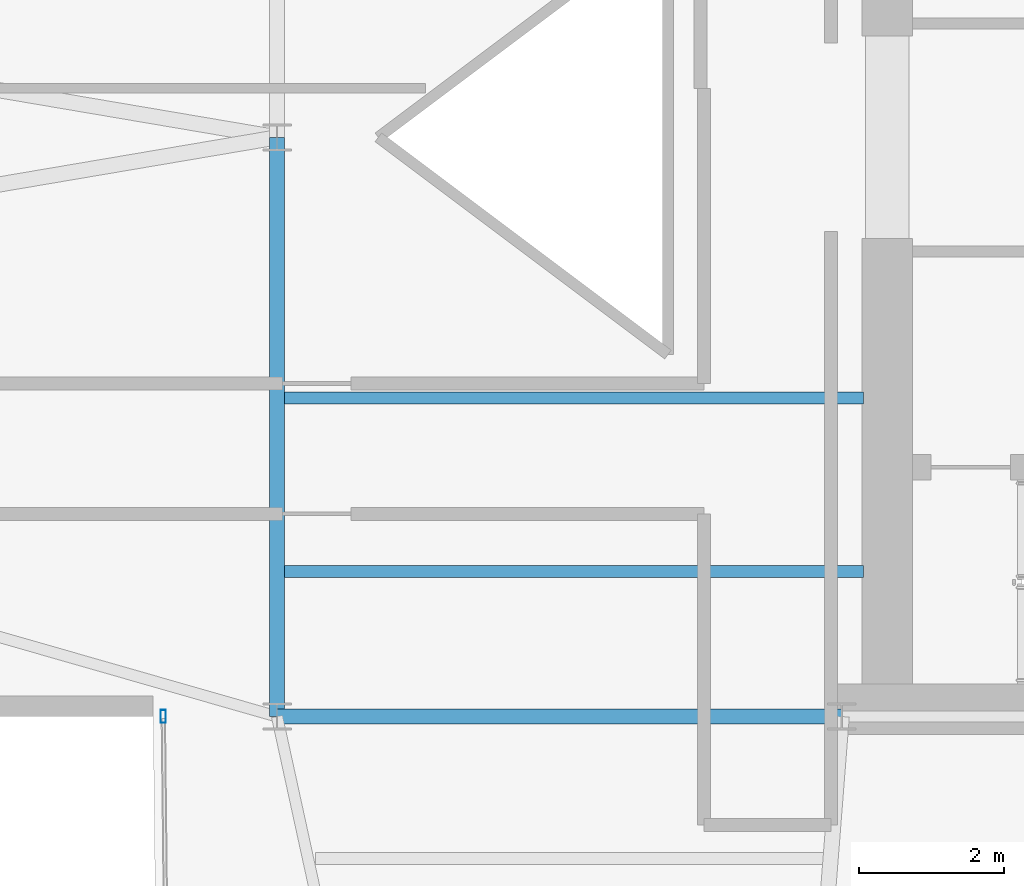
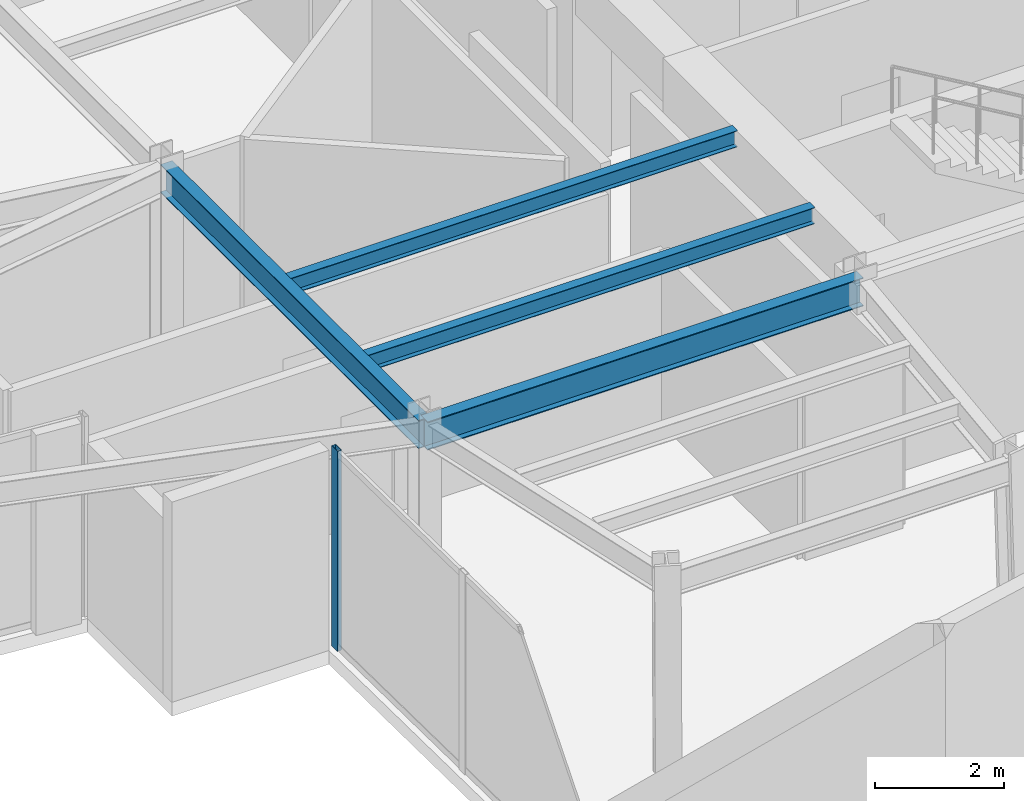
# One storey, part 8 of 21: 4 beams, 1 member, 1 element without a shape of its own.
"""IFC4 building model written with IfcOpenShell, lengths in metres."""

import ifcopenshell
import ifcopenshell.guid

model = None  # the IFC model being written
_history = None  # IfcOwnerHistory: only IFC2X3 demands one
_inside = {}  # id of a spatial element -> (the spatial element, [elements in it])
_under = {}  # id of a project, library or spatial element -> (it, [spatial elements below it])
_declared = {}  # id of a project -> (the project, [libraries it declares])
_typed = {}  # id of a type object -> (the type object, [elements of that type])
_made_of = {}  # id of a material, layer set ... -> (it, [elements and type objects made of it])


def new_model(schema):
    """Start an empty IFC model of exactly this schema.

    Asked for "IFC4X3", IfcOpenShell would pick the latest addendum, in which some entities
    have other attributes; the version numbers below select the first issue.
    IFC2X3 requires an IfcOwnerHistory on every rooted entity: one is made here for all.
    """
    global model, _history
    if schema == "IFC4X3":
        model = ifcopenshell.file(schema_version=(4, 3, 0, 0))
    else:
        model = ifcopenshell.file(schema=schema)
    _inside.clear()
    _under.clear()
    _declared.clear()
    _typed.clear()
    _made_of.clear()
    _history = None
    if model.schema == "IFC2X3":
        org = make("IfcOrganization", Name="unknown")
        user = make(
            "IfcPersonAndOrganization",
            ThePerson=make("IfcPerson", FamilyName="unknown"),
            TheOrganization=org,
        )
        app = make(
            "IfcApplication",
            ApplicationDeveloper=org,
            Version="unknown",
            ApplicationFullName="unknown",
            ApplicationIdentifier="unknown",
        )
        _history = make(
            "IfcOwnerHistory",
            OwningUser=user,
            OwningApplication=app,
            ChangeAction="ADDED",
            CreationDate=0,
        )
    return model


def make(cls, **values):
    """One entity of the class cls with the attributes given. An attribute that is None is left unset."""
    return model.create_entity(
        cls, **{name: value for name, value in values.items() if value is not None}
    )


def rooted(cls, **values):
    """An entity with a GlobalId (a new one), such as an element, a storey or a relation."""
    return make(cls, GlobalId=ifcopenshell.guid.new(), OwnerHistory=_history, **values)


def si_unit(unit_type, name, prefix=None):
    """IfcSIUnit, for example si_unit("LENGTHUNIT", "METRE", prefix="MILLI")."""
    return make("IfcSIUnit", UnitType=unit_type, Prefix=prefix, Name=name)


def assignment(units):
    """IfcUnitAssignment: the units of a project."""
    return None if units is None else make("IfcUnitAssignment", Units=units)


def point(xyz):
    """IfcCartesianPoint."""
    return None if xyz is None else make("IfcCartesianPoint", Coordinates=xyz)


def direction(xyz):
    """IfcDirection."""
    return None if xyz is None else make("IfcDirection", DirectionRatios=xyz)


def frame(location, z_axis=None, x_axis=None):
    """IfcAxis2Placement3D, a coordinate frame: its origin and axes. An axis left out is left unset."""
    return make(
        "IfcAxis2Placement3D",
        Location=point(location),
        Axis=direction(z_axis),
        RefDirection=direction(x_axis),
    )


def frame_2d(location, x_axis=None):
    """IfcAxis2Placement2D, a coordinate frame in the plane: its origin and x axis."""
    return make(
        "IfcAxis2Placement2D", Location=point(location), RefDirection=direction(x_axis)
    )


def origin():
    """The frame at (0, 0, 0) with its axes left unset."""
    return frame((0.0, 0.0, 0.0))


def origin_2d():
    """The frame at (0, 0) in the plane with its x axis left unset."""
    return frame_2d((0.0, 0.0))


def place(relative_to, where):
    """IfcLocalPlacement: puts the frame where relative to a parent placement (None: the world)."""
    return make(
        "IfcLocalPlacement", PlacementRelTo=relative_to, RelativePlacement=where
    )


def context(
    kind, dimensions, precision=None, world=None, true_north=None, identifier=None
):
    """IfcGeometricRepresentationContext, for example the 3D "Model" context."""
    return make(
        "IfcGeometricRepresentationContext",
        ContextIdentifier=identifier,
        ContextType=kind,
        CoordinateSpaceDimension=dimensions,
        Precision=precision,
        WorldCoordinateSystem=world,
        TrueNorth=true_north,
    )


def subcontext(parent, identifier, kind, view, scale=None):
    """IfcGeometricRepresentationSubContext, for example "Body" below "Model"."""
    return make(
        "IfcGeometricRepresentationSubContext",
        ContextIdentifier=identifier,
        ContextType=kind,
        ParentContext=parent,
        TargetScale=scale,
        TargetView=view,
    )


def project(units=None, contexts=None):
    """IfcProject with its units and contexts."""
    return rooted(
        "IfcProject",
        Name="project",
        RepresentationContexts=contexts,
        UnitsInContext=assignment(units),
    )


def spatial(cls, under=None, at=None, **own):
    """A site, building, storey or space (cls), placed at a placement, below another one or the project."""
    s = rooted(cls, ObjectPlacement=at, **own)
    if under is not None:
        _under.setdefault(under.id(), (under, []))[1].append(s)
    return s


def profile(cls, at=None, kind="AREA", **sizes):
    """A parametric profile (cls). Its sizes go by their IFC names, for example OverallWidth=200.0."""
    return make(cls, ProfileType=kind, Position=at, **sizes)


def hollow_rectangle(**sizes):
    """IfcRectangleHollowProfileDef."""
    return profile("IfcRectangleHollowProfileDef", **sizes)


def i_section(**sizes):
    """IfcIShapeProfileDef."""
    return profile("IfcIShapeProfileDef", **sizes)


def extrude(swept, where, along, depth):
    """IfcExtrudedAreaSolid: the profile swept, set in the frame where, extruded along a direction by depth."""
    return make(
        "IfcExtrudedAreaSolid",
        SweptArea=swept,
        Position=where,
        ExtrudedDirection=direction(along),
        Depth=depth,
    )


def shape(context_of_items, identifier, shape_type, items):
    """IfcShapeRepresentation: the items that make up one representation, for example the "Body"."""
    return make(
        "IfcShapeRepresentation",
        ContextOfItems=context_of_items,
        RepresentationIdentifier=identifier,
        RepresentationType=shape_type,
        Items=items,
    )


def material(Name=None, Category=None):
    """IfcMaterial."""
    return make("IfcMaterial", Name=Name, Category=Category)


def layer(
    of_material, thickness, ventilated=None, Name=None, Category=None, Priority=None
):
    """IfcMaterialLayer: one layer of a wall or slab, of a material (None: an air gap)."""
    return make(
        "IfcMaterialLayer",
        Material=of_material,
        LayerThickness=thickness,
        IsVentilated=ventilated,
        Name=Name,
        Category=Category,
        Priority=Priority,
    )


def layer_set(layers, Name=None):
    """IfcMaterialLayerSet."""
    return make("IfcMaterialLayerSet", MaterialLayers=layers, LayerSetName=Name)


def material_profile(
    of_material, cross_section, Name=None, Category=None, Priority=None
):
    """IfcMaterialProfile: a cross section and its material."""
    return make(
        "IfcMaterialProfile",
        Name=Name,
        Material=of_material,
        Profile=cross_section,
        Priority=Priority,
        Category=Category,
    )


def profile_set(profiles, Name=None, composite=None):
    """IfcMaterialProfileSet."""
    return make(
        "IfcMaterialProfileSet",
        Name=Name,
        MaterialProfiles=profiles,
        CompositeProfile=composite,
    )


def made_of(thing, what):
    """Note that an element or type object is made of a material, layer set ...; save() writes the relation."""
    if what is not None:
        _made_of.setdefault(what.id(), (what, []))[1].append(thing)
    return thing


def type_object(cls, material=None, **own):
    """A type object (cls), such as IfcWallType, which elements share."""
    return made_of(rooted(cls, **own), material)


def element(
    cls,
    number,
    at=None,
    inside=None,
    cuts=None,
    type_object=None,
    material=None,
    context=None,
    identifier="Body",
    shape_type=None,
    held_by="IfcProductDefinitionShape",
    body=None,
    shapes=None,
    **own,
):
    """One element of the class cls, such as IfcWall. Its Tag is "e" and its number.

    at: its placement. inside: the storey or other place that contains it. cuts: it is an
    opening in that element (IfcRelVoidsElement). A single representation is given by context,
    identifier, shape_type and body (its items); several are given by shapes. held_by: the class
    of the entity that holds the representations. save() writes the other relations.
    """
    e = rooted(cls, Tag="e%d" % number, ObjectPlacement=at, **own)
    if body is not None:
        shapes = [shape(context, identifier, shape_type, body)]
    if shapes is not None:
        e.Representation = make(held_by, Representations=shapes)
    if inside is not None:
        _inside.setdefault(inside.id(), (inside, []))[1].append(e)
    if cuts is not None:
        rooted(
            "IfcRelVoidsElement", RelatingBuildingElement=cuts, RelatedOpeningElement=e
        )
    if type_object is not None:
        _typed.setdefault(type_object.id(), (type_object, []))[1].append(e)
    return made_of(e, material)


def aggregate(whole, parts):
    """IfcRelAggregates: a whole, such as a stair, and the parts it consists of."""
    return rooted("IfcRelAggregates", RelatingObject=whole, RelatedObjects=parts)


def save(model, path):
    """Write the relations noted so far, then the file.

    IfcRelAggregates (storeys below a building ...), IfcRelContainedInSpatialStructure (elements
    in a storey), IfcRelDefinesByType, IfcRelAssociatesMaterial and IfcRelDeclares: one each for
    every whole, place, type object, material and project.
    """
    for whole, parts in _under.values():
        aggregate(whole, parts)
    for where, things in _inside.values():
        rooted(
            "IfcRelContainedInSpatialStructure",
            RelatedElements=things,
            RelatingStructure=where,
        )
    for kind, things in _typed.values():
        rooted("IfcRelDefinesByType", RelatedObjects=things, RelatingType=kind)
    for what, things in _made_of.values():
        rooted("IfcRelAssociatesMaterial", RelatedObjects=things, RelatingMaterial=what)
    for by, libraries in _declared.values():
        rooted("IfcRelDeclares", RelatingContext=by, RelatedDefinitions=libraries)
    model.write(path)


model = new_model("IFC4")

# Units and contexts
model_context = context("Model", 3, precision=1e-05, world=origin(), true_north=direction((0.0, 1.0)))
body_context = subcontext(model_context, "Body", "Model", "MODEL_VIEW")
ifc_project = project(units=[si_unit("LENGTHUNIT", "METRE"), si_unit("AREAUNIT", "SQUARE_METRE"), si_unit("VOLUMEUNIT", "CUBIC_METRE"), si_unit("PLANEANGLEUNIT", "RADIAN"), si_unit("MASSUNIT", "GRAM", prefix="KILO")], contexts=[model_context])

# Site, building, storey
site_placement = place(None, origin())
site = spatial("IfcSite", under=ifc_project, at=site_placement, CompositionType="ELEMENT")
building_placement = place(site_placement, origin())
building = spatial("IfcBuilding", under=site, at=building_placement, Name="Veymaron Broadcast Tower", CompositionType="ELEMENT")
storey_placement = place(building_placement, frame((0.0, 0.0, 212.10009765625)))
storey = spatial("IfcBuildingStorey", under=building, at=storey_placement, Name="L49", CompositionType="ELEMENT", Elevation=212.10009765625)

# Beams
ifc_material_1 = material(Name="Structural steel ASTM A992 Gr 50", Category="steel")
ifc_material_profile_1 = material_profile(ifc_material_1, i_section(OverallWidth=0.2099609375, OverallDepth=0.537109375, WebThickness=0.010986328125, FlangeThickness=0.017333984375, at=origin_2d()), Name="W530X101")
ifc_profile_set_1 = profile_set([ifc_material_profile_1], Name="Structural steel ASTM A992 Gr 50")
beam_type_1 = type_object("IfcBeamType", Name="BM-FG3", PredefinedType="BEAM", material=ifc_profile_set_1)
beam_1_placement = place(storey_placement, frame((31.199951171875, 16.0, 3.521484375), z_axis=(0.0, 1.0, 0.0), x_axis=(-1.0, 0.0, 0.0)))
element("IfcBeam", 1, at=beam_1_placement, inside=storey, type_object=beam_type_1, Name="L49 primary structural floor girder", PredefinedType="BEAM", context=body_context, shape_type="SweptSolid", body=[
    extrude(i_section(OverallWidth=0.2099609375, OverallDepth=0.537109375, WebThickness=0.010986328125, FlangeThickness=0.017333984375, at=origin_2d()), origin(), (0.0, 0.0, 1.0), 8.0),
])
beam_2_placement = place(storey_placement, frame((31.199951171875, 16.0, 3.521484375), z_axis=(1.0, 0.0, 0.0), x_axis=(0.0, 1.0, 0.0)))
element("IfcBeam", 2, at=beam_2_placement, inside=storey, type_object=beam_type_1, Name="L49 primary structural floor girder", PredefinedType="BEAM", context=body_context, shape_type="SweptSolid", body=[
    extrude(i_section(OverallWidth=0.2099609375, OverallDepth=0.537109375, WebThickness=0.010986328125, FlangeThickness=0.017333984375, at=origin_2d()), origin(), (0.0, 0.0, 1.0), 7.800048828125),
])
ifc_material_profile_2 = material_profile(ifc_material_1, i_section(OverallWidth=0.1650390625, OverallDepth=0.31005859375, WebThickness=0.005859375, FlangeThickness=0.009765625, at=origin_2d()), Name="W310X39")
ifc_profile_set_2 = profile_set([ifc_material_profile_2], Name="Structural steel ASTM A992 Gr 50")
beam_type_2 = type_object("IfcBeamType", Name="BM-JS3", PredefinedType="JOIST", material=ifc_profile_set_2)
for number, where, z_axis, x_axis, name in (
    (3, (31.300048828125, 18.0, 3.635009765625), (1.0, 0.0, 0.0), (0.0, 1.0, 0.0), "L49 Hub secondary joist 1"),
    (4, (31.300048828125, 20.39990234375, 3.635009765625), (1.0, 0.0, 0.0), (0.0, 1.0, 0.0), "L49 Hub secondary joist 2"),
):
    element("IfcBeam", number, at=place(storey_placement, frame(where, z_axis=z_axis, x_axis=x_axis)), inside=storey, type_object=beam_type_2, Name=name, PredefinedType="JOIST", context=body_context, shape_type="SweptSolid", body=[
        extrude(i_section(OverallWidth=0.1650390625, OverallDepth=0.31005859375, WebThickness=0.005859375, FlangeThickness=0.009765625, at=origin_2d()), origin(), (0.0, 0.0, 1.0), 8.0),
    ])

# Curtain wall, member
ifc_material_2 = material(Name="Anodised aluminium AA 6063-T6 and laminated low-E dark glass", Category="aluminium")
ifc_layer = layer(ifc_material_2, 0.179931640625)
ifc_layer_set = layer_set([ifc_layer], Name="Anodised aluminium AA 6063-T6 and laminated low-E dark glass")
curtain_wall_type = type_object("IfcCurtainWallType", Name="CW-SYS-05", PredefinedType="NOTDEFINED", material=ifc_layer_set)
curtain_wall_placement = place(storey_placement, origin())
curtain_wall = element("IfcCurtainWall", 5, at=curtain_wall_placement, inside=storey, type_object=curtain_wall_type, Name="L49 dark-glass curtain wall CW-L49-E17-1", PredefinedType="NOTDEFINED")
ifc_material_3 = material(Name="Anodised aluminium AA 6063-T6", Category="aluminium")
ifc_material_profile_3 = material_profile(ifc_material_3, hollow_rectangle(XDim=0.074951171875, YDim=0.179931640625, WallThickness=0.0048828125, at=origin_2d()), Name="AL180X75X5")
ifc_profile_set_3 = profile_set([ifc_material_profile_3], Name="Anodised aluminium AA 6063-T6")
member_type = type_object("IfcMemberType", Name="CW-MUL-02", PredefinedType="MULLION", material=ifc_profile_set_3)
member_placement = place(storey_placement, frame((29.62890625, 16.001708984375, 0.0), z_axis=(0.0, 0.0, 1.0), x_axis=(1.0, 0.0, 0.0)))
member = element("IfcMember", 6, at=member_placement, type_object=member_type, Name="CW-L49-E17-1 mullion 0", PredefinedType="MULLION", context=body_context, shape_type="SweptSolid", body=[
    extrude(hollow_rectangle(XDim=0.074951171875, YDim=0.179931640625, WallThickness=0.0048828125, at=origin_2d()), origin(), (0.0, 0.0, 1.0), 3.789794921875),
])
aggregate(curtain_wall, [member])

save(model, "model.ifc")
